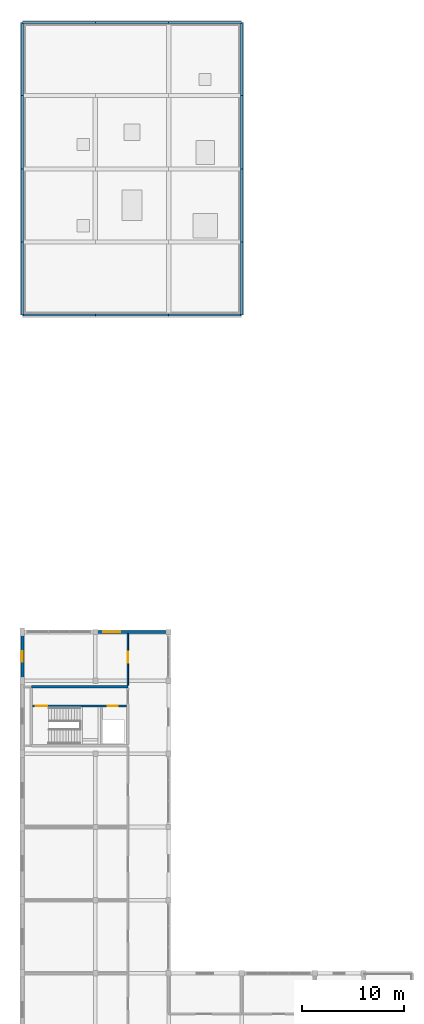
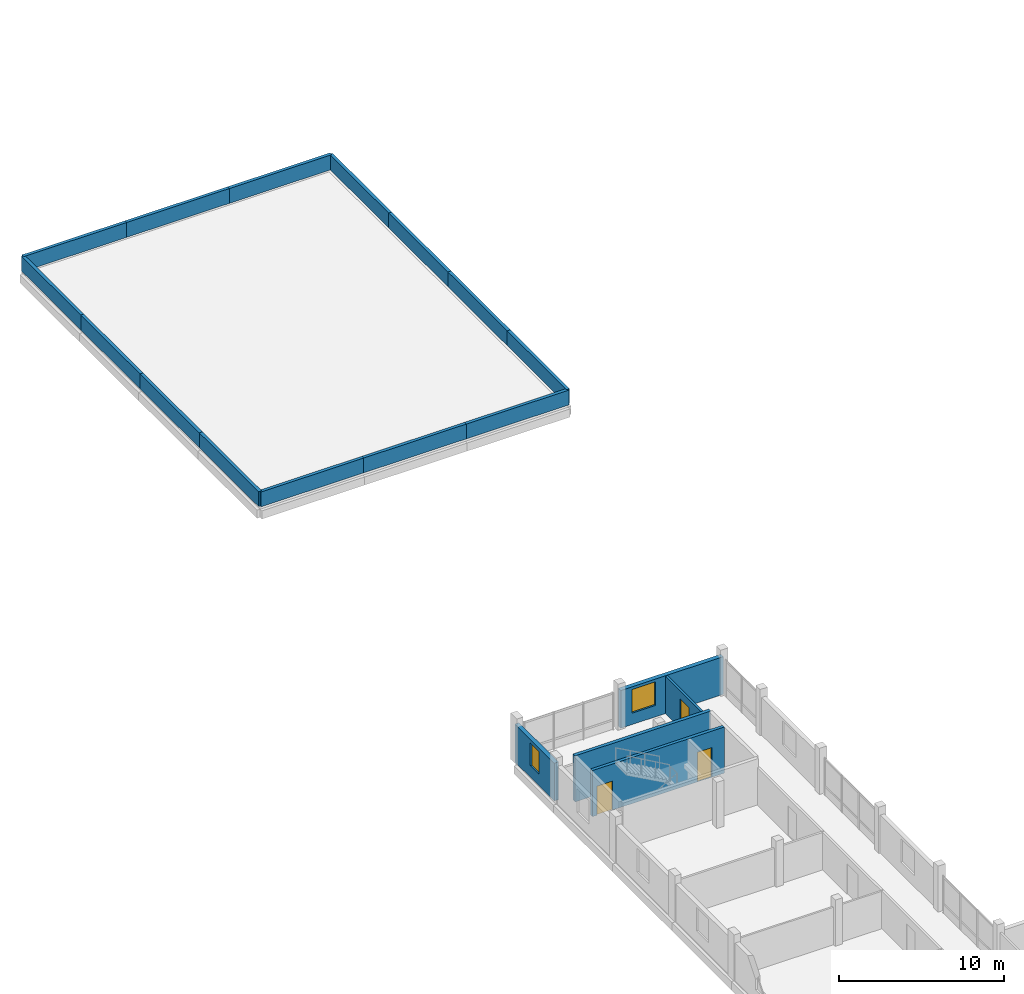
# One storey, part 21 of 26: 19 walls, 3 doors, 2 windows, 5 openings.
"""IFC4 building model written with IfcOpenShell, lengths in metres."""

from ifc_helpers import new_model, si_unit, direction, frame, frame_2d, origin, place, context, subcontext, project, spatial, rectangle, extrude, material, layer, layer_set, type_object, element, fill, save


model = new_model("IFC4")

# Units and contexts
model_context = context("Model", 3, precision=1e-05, world=origin(), true_north=direction((0.0, 1.0)))
body_context = subcontext(model_context, "Body", "Model", "MODEL_VIEW")
ifc_project = project(units=[si_unit("LENGTHUNIT", "METRE"), si_unit("AREAUNIT", "SQUARE_METRE"), si_unit("VOLUMEUNIT", "CUBIC_METRE"), si_unit("PLANEANGLEUNIT", "RADIAN"), si_unit("MASSUNIT", "GRAM", prefix="KILO")], contexts=[model_context])

# Site, building, storey
site_placement = place(None, origin())
site = spatial("IfcSite", under=ifc_project, at=site_placement, CompositionType="ELEMENT")
building_placement = place(site_placement, origin())
building = spatial("IfcBuilding", under=site, at=building_placement, Name="Zornivar Specialist Clinic", CompositionType="ELEMENT")
storey_placement = place(building_placement, frame((0.0, 0.0, 19.699951171875)))
storey = spatial("IfcBuildingStorey", under=building, at=storey_placement, Name="L05", CompositionType="ELEMENT", Elevation=19.699951171875)

# Wall, opening, window
ifc_material_1 = material(Name="Masonry Timber-Clad Insulated Upper Cumba Wall", Category="masonry")
ifc_layer_1 = layer(ifc_material_1, 0.300048828125)
ifc_layer_set_1 = layer_set([ifc_layer_1], Name="Masonry Timber-Clad Insulated Upper Cumba Wall")
wall_type_1 = type_object("IfcWallType", Name="EW-CUMBA-300", PredefinedType="SOLIDWALL", material=ifc_layer_set_1)
wall_1_placement = place(storey_placement, frame((14.39990234375, 48.0, 0.0), z_axis=(0.0, 0.0, 1.0), x_axis=(-1.0, 0.0, 0.0)))
wall_1 = element("IfcWall", 1, at=wall_1_placement, inside=storey, type_object=wall_type_1, Name="ew:V2:L05:15", PredefinedType="SOLIDWALL", context=body_context, shape_type="SweptSolid", body=[
    extrude(rectangle(XDim=7.199951171875, YDim=0.300048828125, at=frame_2d((3.60009765625, 0.0))), origin(), (0.0, 0.0, 1.0), 2.800048828125),
])
opening_1_placement = place(wall_1_placement, frame((4.77490234375, 0.0, 0.85009765625)))
opening_1 = element("IfcOpeningElement", 2, at=opening_1_placement, cuts=wall_1, Name="Opening W-09", PredefinedType="OPENING", context=body_context, shape_type="SweptSolid", body=[
    extrude(rectangle(XDim=1.64990234375, YDim=1.75, at=frame_2d((0.824951171875, 0.875))), frame((0.0, 0.159912109375, 0.0), z_axis=(0.0, -1.0, 0.0), x_axis=(1.0, 0.0, 0.0)), (0.0, 0.0, 1.0), 0.320068359375),
])
ifc_material_2 = material(Name="Triple-Glazed Aluminium-Timber Window Glass", Category="wood")
window_type_1 = type_object("IfcWindowType", Name="WIN-CUMBA-COURT-1650x1750", PartitioningType="SINGLE_PANEL", PredefinedType="WINDOW", material=ifc_material_2)
window_1_placement = place(opening_1_placement, origin())
window_1 = element("IfcWindow", 3, at=window_1_placement, inside=storey, type_object=window_type_1, Name="win:V2:L05:15", OverallHeight=1.75, OverallWidth=1.64990234375, PartitioningType="SINGLE_PANEL", PredefinedType="WINDOW", context=body_context, shape_type="SweptSolid", body=[
    extrude(rectangle(XDim=1.64990234375, YDim=1.75, at=frame_2d((0.824951171875, 0.875))), frame((0.0, 0.030029296875, 0.0), z_axis=(0.0, -1.0, 0.0), x_axis=(1.0, 0.0, 0.0)), (0.0, 0.0, 1.0), 0.06005859375),
])
fill(opening_1, window_1)

wall_2_placement = place(storey_placement, frame((0.0, 48.0, 0.0), z_axis=(0.0, 0.0, 1.0), x_axis=(0.0, -1.0, 0.0)))
wall_2 = element("IfcWall", 4, at=wall_2_placement, inside=storey, type_object=wall_type_1, Name="ew:V2:L05:17", PredefinedType="SOLIDWALL", context=body_context, shape_type="SweptSolid", body=[
    extrude(rectangle(XDim=4.800048828125, YDim=0.300048828125, at=frame_2d((2.39990234375, 0.0))), origin(), (0.0, 0.0, 1.0), 2.800048828125),
])
opening_2_placement = place(wall_2_placement, frame((1.875, 0.0, 0.85009765625)))
opening_2 = element("IfcOpeningElement", 5, at=opening_2_placement, cuts=wall_2, Name="Opening W-10", PredefinedType="OPENING", context=body_context, shape_type="SweptSolid", body=[
    extrude(rectangle(XDim=1.050048828125, YDim=1.699951171875, at=frame_2d((0.52490234375, 0.85009765625))), frame((0.0, 0.159912109375, 0.0), z_axis=(0.0, -1.0, 0.0), x_axis=(1.0, 0.0, 0.0)), (0.0, 0.0, 1.0), 0.320068359375),
])
ifc_material_3 = material(Name="Triple-Glazed Aluminium-Timber Window Glass", Category="wood")
window_type_2 = type_object("IfcWindowType", Name="WIN-CUMBA-PIER-1050x1700", PartitioningType="SINGLE_PANEL", PredefinedType="WINDOW", material=ifc_material_3)
window_2_placement = place(opening_2_placement, origin())
window_2 = element("IfcWindow", 6, at=window_2_placement, inside=storey, type_object=window_type_2, Name="win:V2:L05:17", OverallHeight=1.699951171875, OverallWidth=1.050048828125, PartitioningType="SINGLE_PANEL", PredefinedType="WINDOW", context=body_context, shape_type="SweptSolid", body=[
    extrude(rectangle(XDim=1.050048828125, YDim=1.699951171875, at=frame_2d((0.52490234375, 0.85009765625))), frame((0.0, 0.030029296875, 0.0), z_axis=(0.0, -1.0, 0.0), x_axis=(1.0, 0.0, 0.0)), (0.0, 0.0, 1.0), 0.06005859375),
])
fill(opening_2, window_2)

# Wall, opening, door
ifc_material_4 = material(Name="Gypsum Fire-Rated Double Stud Partition")
ifc_layer_2 = layer(ifc_material_4, 0.159912109375)
ifc_layer_set_2 = layer_set([ifc_layer_2], Name="Gypsum Fire-Rated Double Stud Partition")
wall_type_2 = type_object("IfcWallType", Name="IW-CORR-EI60-160", PredefinedType="PARTITIONING", material=ifc_layer_set_2)
wall_3_placement = place(storey_placement, frame((10.39990234375, 47.8349609375, 0.0), z_axis=(0.0, 0.0, 1.0), x_axis=(0.0, -1.0, 0.0)))
wall_3 = element("IfcWall", 7, at=wall_3_placement, inside=storey, type_object=wall_type_2, Name="iw:L05:011", PredefinedType="PARTITIONING", context=body_context, shape_type="SweptSolid", body=[
    extrude(rectangle(XDim=5.099853515625, YDim=0.159912109375, at=frame_2d((2.5498046875, 0.0))), origin(), (0.0, 0.0, 1.0), 2.780029296875),
])
opening_3_placement = place(wall_3_placement, frame((1.803955078125, 0.0, 0.0)))
opening_3 = element("IfcOpeningElement", 8, at=opening_3_placement, cuts=wall_3, Name="Opening ID-15", PredefinedType="OPENING", context=body_context, shape_type="SweptSolid", body=[
    extrude(rectangle(XDim=1.050048828125, YDim=2.199951171875, at=frame_2d((0.52490234375, 1.10009765625))), frame((0.0, 0.08984375, 0.0), z_axis=(0.0, -1.0, 0.0), x_axis=(1.0, 0.0, 0.0)), (0.0, 0.0, 1.0), 0.179931640625),
])
ifc_material_5 = material(Name="Solid-Core Hygienic Laminate Timber Door", Category="wood")
door_type_1 = type_object("IfcDoorType", Name="ID-COUNS-1050x2200", OperationType="NOTDEFINED", PredefinedType="DOOR", material=ifc_material_5)
door_1_placement = place(opening_3_placement, origin())
door_1 = element("IfcDoor", 9, at=door_1_placement, inside=storey, type_object=door_type_1, Name="door:space:V2:L05:rm:04", OperationType="SINGLE_SWING_LEFT", OverallHeight=2.199951171875, OverallWidth=1.050048828125, PredefinedType="DOOR", context=body_context, shape_type="SweptSolid", body=[
    extrude(rectangle(XDim=1.050048828125, YDim=2.199951171875, at=frame_2d((0.52490234375, 1.10009765625))), frame((0.0, 0.02490234375, 0.0), z_axis=(0.0, -1.0, 0.0), x_axis=(1.0, 0.0, 0.0)), (0.0, 0.0, 1.0), 0.050048828125),
])
fill(opening_3, door_1)

# Walls
ifc_material_6 = material(Name="Masonry Brick and Stone Terrace Parapet", Category="masonry")
ifc_layer_3 = layer(ifc_material_6, 0.219970703125)
ifc_layer_set_3 = layer_set([ifc_layer_3], Name="Masonry Brick and Stone Terrace Parapet")
wall_type_3 = type_object("IfcWallType", Name="PW-PARAPET-220", PredefinedType="PARAPET", material=ifc_layer_set_3)
for number, where, z_axis, x_axis, name in (
    (10, (0.0, 79.199951171875, 0.0), (0.0, 0.0, 1.0), (1.0, 0.0, 0.0), "pw:V5:L05:00"),
    (11, (7.199951171875, 79.199951171875, 0.0), (0.0, 0.0, 1.0), (1.0, 0.0, 0.0), "pw:V5:L05:01"),
):
    element("IfcWall", number, at=place(storey_placement, frame(where, z_axis=z_axis, x_axis=x_axis)), inside=storey, type_object=wall_type_3, Name=name, PredefinedType="PARAPET", context=body_context, shape_type="SweptSolid", body=[
        extrude(rectangle(XDim=7.199951171875, YDim=0.219970703125, at=frame_2d((3.60009765625, 0.0))), origin(), (0.0, 0.0, 1.0), 1.10009765625),
    ])
wall_4_placement = place(storey_placement, frame((14.39990234375, 79.199951171875, 0.0), z_axis=(0.0, 0.0, 1.0), x_axis=(1.0, 0.0, 0.0)))
element("IfcWall", 12, at=wall_4_placement, inside=storey, type_object=wall_type_3, Name="pw:V5:L05:02", PredefinedType="PARAPET", context=body_context, shape_type="SweptSolid", body=[
    extrude(rectangle(XDim=7.2001953125, YDim=0.219970703125, at=frame_2d((3.60009765625, 0.0))), origin(), (0.0, 0.0, 1.0), 1.10009765625),
])
wall_5_placement = place(storey_placement, frame((21.60009765625, 79.199951171875, 0.0), z_axis=(0.0, 0.0, 1.0), x_axis=(0.0, 1.0, 0.0)))
element("IfcWall", 13, at=wall_5_placement, inside=storey, type_object=wall_type_3, Name="pw:V5:L05:03", PredefinedType="PARAPET", context=body_context, shape_type="SweptSolid", body=[
    extrude(rectangle(XDim=7.199951171875, YDim=0.219970703125, at=frame_2d((3.60009765625, 0.0))), origin(), (0.0, 0.0, 1.0), 1.10009765625),
])
wall_6_placement = place(storey_placement, frame((21.60009765625, 86.39990234375, 0.0), z_axis=(0.0, 0.0, 1.0), x_axis=(0.0, 1.0, 0.0)))
element("IfcWall", 14, at=wall_6_placement, inside=storey, type_object=wall_type_3, Name="pw:V5:L05:04", PredefinedType="PARAPET", context=body_context, shape_type="SweptSolid", body=[
    extrude(rectangle(XDim=7.2001953125, YDim=0.219970703125, at=frame_2d((3.60009765625, 0.0))), origin(), (0.0, 0.0, 1.0), 1.10009765625),
])
for number, where, z_axis, x_axis, name in (
    (15, (21.60009765625, 93.60009765625, 0.0), (0.0, 0.0, 1.0), (0.0, 1.0, 0.0), "pw:V5:L05:05"),
    (16, (21.60009765625, 100.800048828125, 0.0), (0.0, 0.0, 1.0), (0.0, 1.0, 0.0), "pw:V5:L05:06"),
):
    element("IfcWall", number, at=place(storey_placement, frame(where, z_axis=z_axis, x_axis=x_axis)), inside=storey, type_object=wall_type_3, Name=name, PredefinedType="PARAPET", context=body_context, shape_type="SweptSolid", body=[
        extrude(rectangle(XDim=7.199951171875, YDim=0.219970703125, at=frame_2d((3.60009765625, 0.0))), origin(), (0.0, 0.0, 1.0), 1.10009765625),
    ])
wall_7_placement = place(storey_placement, frame((21.60009765625, 108.0, 0.0), z_axis=(0.0, 0.0, 1.0), x_axis=(-1.0, 0.0, 0.0)))
element("IfcWall", 17, at=wall_7_placement, inside=storey, type_object=wall_type_3, Name="pw:V5:L05:07", PredefinedType="PARAPET", context=body_context, shape_type="SweptSolid", body=[
    extrude(rectangle(XDim=7.2001953125, YDim=0.219970703125, at=frame_2d((3.60009765625, 0.0))), origin(), (0.0, 0.0, 1.0), 1.10009765625),
])
for number, where, z_axis, x_axis, name in (
    (18, (14.39990234375, 108.0, 0.0), (0.0, 0.0, 1.0), (-1.0, 0.0, 0.0), "pw:V5:L05:08"),
    (19, (7.199951171875, 108.0, 0.0), (0.0, 0.0, 1.0), (-1.0, 0.0, 0.0), "pw:V5:L05:09"),
    (20, (0.0, 108.0, 0.0), (0.0, 0.0, 1.0), (0.0, -1.0, 0.0), "pw:V5:L05:10"),
    (21, (0.0, 100.800048828125, 0.0), (0.0, 0.0, 1.0), (0.0, -1.0, 0.0), "pw:V5:L05:11"),
):
    element("IfcWall", number, at=place(storey_placement, frame(where, z_axis=z_axis, x_axis=x_axis)), inside=storey, type_object=wall_type_3, Name=name, PredefinedType="PARAPET", context=body_context, shape_type="SweptSolid", body=[
        extrude(rectangle(XDim=7.199951171875, YDim=0.219970703125, at=frame_2d((3.60009765625, 0.0))), origin(), (0.0, 0.0, 1.0), 1.10009765625),
    ])
wall_8_placement = place(storey_placement, frame((0.0, 93.60009765625, 0.0), z_axis=(0.0, 0.0, 1.0), x_axis=(0.0, -1.0, 0.0)))
element("IfcWall", 22, at=wall_8_placement, inside=storey, type_object=wall_type_3, Name="pw:V5:L05:12", PredefinedType="PARAPET", context=body_context, shape_type="SweptSolid", body=[
    extrude(rectangle(XDim=7.2001953125, YDim=0.219970703125, at=frame_2d((3.60009765625, 0.0))), origin(), (0.0, 0.0, 1.0), 1.10009765625),
])
wall_9_placement = place(storey_placement, frame((0.0, 86.39990234375, 0.0), z_axis=(0.0, 0.0, 1.0), x_axis=(0.0, -1.0, 0.0)))
element("IfcWall", 23, at=wall_9_placement, inside=storey, type_object=wall_type_3, Name="pw:V5:L05:13", PredefinedType="PARAPET", context=body_context, shape_type="SweptSolid", body=[
    extrude(rectangle(XDim=7.199951171875, YDim=0.219970703125, at=frame_2d((3.60009765625, 0.0))), origin(), (0.0, 0.0, 1.0), 1.10009765625),
])
ifc_material_7 = material(Name="Concrete C35/45", Category="concrete")
ifc_layer_4 = layer(ifc_material_7, 0.239990234375)
ifc_layer_set_4 = layer_set([ifc_layer_4], Name="Concrete C35/45")
wall_type_4 = type_object("IfcWallType", Name="SW-CORE-240", PredefinedType="SHEAR", material=ifc_layer_set_4)
wall_10_placement = place(storey_placement, frame((10.39990234375, 42.60009765625, 0.0), z_axis=(0.0, 0.0, 1.0), x_axis=(-1.0, 0.0, 0.0)))
element("IfcWall", 24, at=wall_10_placement, inside=storey, type_object=wall_type_4, Name="sw:C2:L05:w2", PredefinedType="SHEAR", context=body_context, shape_type="SweptSolid", body=[
    extrude(rectangle(XDim=9.5, YDim=0.239990234375, at=frame_2d((4.75, 0.0))), origin(), (0.0, 0.0, 1.0), 3.420166015625),
])

# Wall, openings, doors
ifc_material_8 = material(Name="Concrete C30/37", Category="concrete")
ifc_layer_5 = layer(ifc_material_8, 0.219970703125)
ifc_layer_set_5 = layer_set([ifc_layer_5], Name="Concrete C30/37")
wall_type_5 = type_object("IfcWallType", Name="SW-SHAFT-220", PredefinedType="SHEAR", material=ifc_layer_set_5)
wall_11_placement = place(storey_placement, frame((1.02001953125, 40.7099609375, 0.0), z_axis=(0.0, 0.0, 1.0), x_axis=(1.0, 0.0, 0.0)))
wall_11 = element("IfcWall", 25, at=wall_11_placement, inside=storey, type_object=wall_type_5, Name="sw:C2:L05:stwall", PredefinedType="SHEAR", context=body_context, shape_type="SweptSolid", body=[
    extrude(rectangle(XDim=9.260009765625, YDim=0.219970703125, at=frame_2d((4.6298828125, 0.0))), origin(), (0.0, 0.0, 1.0), 3.420166015625),
])
opening_4_placement = place(wall_11_placement, frame((0.330078125, 0.0, 0.0)))
opening_4 = element("IfcOpeningElement", 26, at=opening_4_placement, cuts=wall_11, Name="Opening FD-02", PredefinedType="OPENING", context=body_context, shape_type="SweptSolid", body=[
    extrude(rectangle(XDim=1.10009765625, YDim=2.14990234375, at=frame_2d((0.550048828125, 1.074951171875))), frame((0.0, 0.119873046875, 0.0), z_axis=(0.0, -1.0, 0.0), x_axis=(1.0, 0.0, 0.0)), (0.0, 0.0, 1.0), 0.239990234375),
])
opening_5_placement = place(wall_11_placement, frame((7.3798828125, 0.0, 0.0)))
opening_5 = element("IfcOpeningElement", 27, at=opening_5_placement, cuts=wall_11, Name="Opening LD-02", PredefinedType="OPENING", context=body_context, shape_type="SweptSolid", body=[
    extrude(rectangle(XDim=1.0, YDim=2.199951171875, at=frame_2d((0.5, 1.10009765625))), frame((0.0, 0.119873046875, 0.0), z_axis=(0.0, -1.0, 0.0), x_axis=(1.0, 0.0, 0.0)), (0.0, 0.0, 1.0), 0.239990234375),
])
ifc_material_9 = material(Name="Solid-Core Hygienic Laminate Timber Door", Category="wood")
door_type_2 = type_object("IfcDoorType", Name="FD-STAIR-1100x2150", OperationType="NOTDEFINED", PredefinedType="DOOR", material=ifc_material_9)
door_2_placement = place(opening_4_placement, origin())
door_2 = element("IfcDoor", 28, at=door_2_placement, inside=storey, type_object=door_type_2, Name="door:C2:L05:stair", OperationType="SINGLE_SWING_LEFT", OverallHeight=2.14990234375, OverallWidth=1.10009765625, PredefinedType="DOOR", context=body_context, shape_type="SweptSolid", body=[
    extrude(rectangle(XDim=1.10009765625, YDim=2.14990234375, at=frame_2d((0.550048828125, 1.074951171875))), frame((0.0, 0.02490234375, 0.0), z_axis=(0.0, -1.0, 0.0), x_axis=(1.0, 0.0, 0.0)), (0.0, 0.0, 1.0), 0.050048828125),
])
fill(opening_4, door_2)
ifc_material_10 = material(Name="Stainless Steel Lift Landing Sliding Door", Category="steel")
door_type_3 = type_object("IfcDoorType", Name="LD-LIFT-1000x2200", OperationType="NOTDEFINED", PredefinedType="DOOR", material=ifc_material_10)
door_3_placement = place(opening_5_placement, origin())
door_3 = element("IfcDoor", 29, at=door_3_placement, inside=storey, type_object=door_type_3, Name="door:C2:L05:lift", OperationType="DOUBLE_DOOR_SLIDING", OverallHeight=2.199951171875, OverallWidth=1.0, PredefinedType="DOOR", context=body_context, shape_type="SweptSolid", body=[
    extrude(rectangle(XDim=1.0, YDim=2.199951171875, at=frame_2d((0.5, 1.10009765625))), frame((0.0, 0.02490234375, 0.0), z_axis=(0.0, -1.0, 0.0), x_axis=(1.0, 0.0, 0.0)), (0.0, 0.0, 1.0), 0.050048828125),
])
fill(opening_5, door_3)

save(model, "model.ifc")
